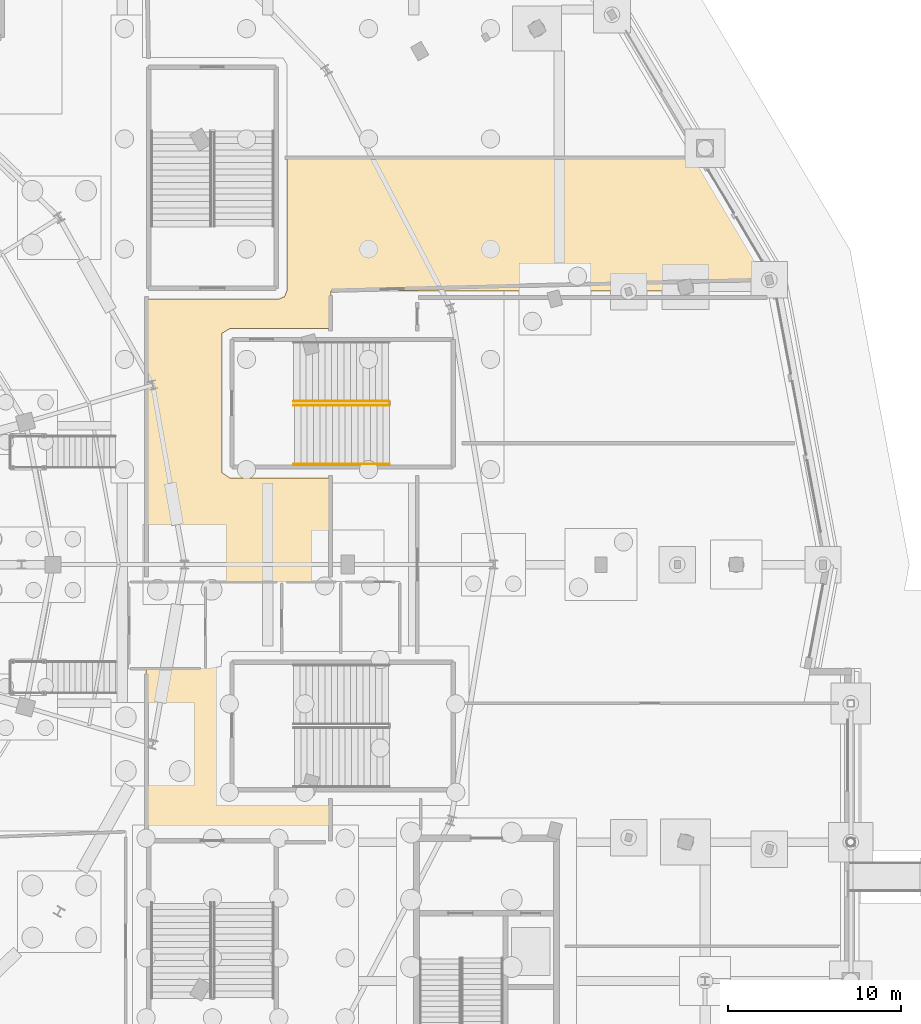
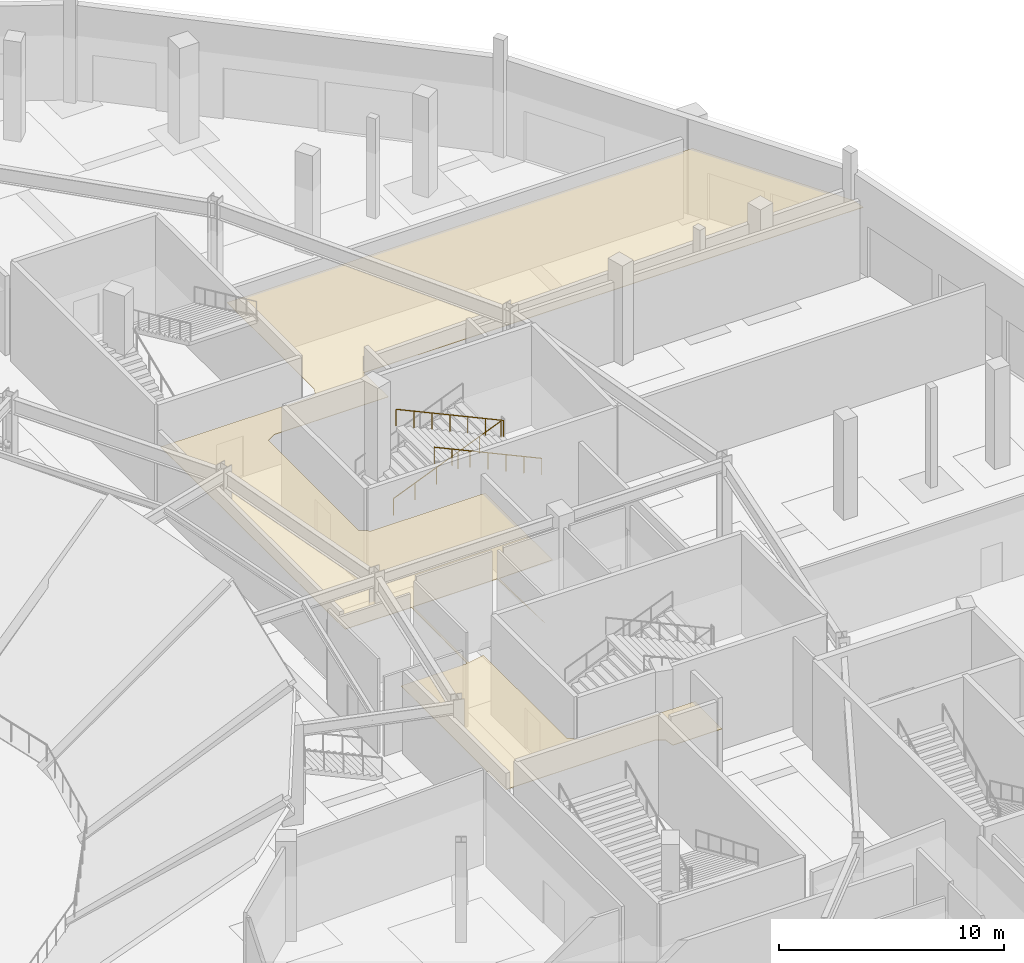
# One storey, part 90 of 93: 3 railings, 1 covering.
"""IFC4 building model written with IfcOpenShell, lengths in metres."""

from ifc_helpers import new_model, si_unit, direction, frame, origin, origin_2d, place, context, subcontext, project, spatial, polyline, circle, outline, extrude, material, layer, layer_set, type_object, element, save


model = new_model("IFC4")

# Units and contexts
model_context = context("Model", 3, precision=1e-05, world=origin(), true_north=direction((0.0, 1.0)))
body_context = subcontext(model_context, "Body", "Model", "MODEL_VIEW")
ifc_project = project(units=[si_unit("LENGTHUNIT", "METRE"), si_unit("AREAUNIT", "SQUARE_METRE"), si_unit("VOLUMEUNIT", "CUBIC_METRE"), si_unit("PLANEANGLEUNIT", "RADIAN"), si_unit("MASSUNIT", "GRAM", prefix="KILO")], contexts=[model_context])

# Site, building, storey
site_placement = place(None, origin())
site = spatial("IfcSite", under=ifc_project, at=site_placement, CompositionType="ELEMENT")
building_placement = place(site_placement, origin())
building = spatial("IfcBuilding", under=site, at=building_placement, Name="Kalgoora Escarpment Arena", CompositionType="ELEMENT")
storey_placement = place(building_placement, origin())
storey = spatial("IfcBuildingStorey", under=building, at=storey_placement, Name="L00", CompositionType="ELEMENT", Elevation=0.0)

# Covering
ifc_material_1 = material(Name="Perforated acoustic mineral-fibre ceiling tile")
ifc_layer = layer(ifc_material_1, 0.02490234375)
ifc_layer_set = layer_set([ifc_layer], Name="COV-CEIL-ACOUSTIC")
covering_type = type_object("IfcCoveringType", Name="COV-CEIL-ACOUSTIC", PredefinedType="CEILING", material=ifc_layer_set)
covering_placement = place(storey_placement, frame((0.0, 0.0, 3.47998046875)))
element("IfcCovering", 1, at=covering_placement, inside=storey, type_object=covering_type, Name="L00 North-East Protected Exit Passageway acoustic suspended ceiling", PredefinedType="CEILING", context=body_context, shape_type="SweptSolid", body=[
    extrude(outline(polyline([(144.19970703125, 63.0), (144.159912109375, 79.302001953125), (151.800048828125, 79.300048828125), (152.153564453125, 79.4462890625), (152.300048828125, 79.800048828125), (152.300048828125, 87.489990234375), (176.128662109375, 87.489990234375), (180.302490234375, 80.441162109375), (180.42138671875, 79.7646484375), (154.840087890625, 79.760009765625), (154.840087890625, 77.60009765625), (149.0, 77.60009765625), (148.55908203125, 77.335693359375), (148.5380859375, 69.30859375), (149.0, 69.0), (154.840087890625, 69.0), (154.840087890625, 63.0400390625), (152.0849609375, 62.979248046875), (152.11474609375, 59.0), (151.98876953125, 62.98828125), (147.69775390625, 62.993408203125), (147.680908203125, 58.040283203125), (148.5, 58.19189453125), (148.509521484375, 50.802490234375), (148.950927734375, 50.40234375), (154.840087890625, 50.39990234375), (154.822265625, 47.966796875), (152.300048828125, 47.9599609375), (152.2158203125, 48.477783203125), (151.84912109375, 48.697509765625), (144.159912109375, 48.697998046875), (144.160888671875, 57.9677734375), (147.560302734375, 58.0), (147.593017578125, 62.982421875), (144.19970703125, 63.0)])), origin(), (0.0, 0.0, 1.0), 0.02490234375),
])

# Railings
ifc_material_2 = material(Name="Brushed stainless steel 316 handrail", Category="steel")
railing_type = type_object("IfcRailingType", Name="RAL-HAND-920", PredefinedType="HANDRAIL", material=ifc_material_2)
railing_placement = place(storey_placement, frame((152.68994140625, 73.4150390625, 0.388916015625)))
element("IfcRailing", 2, at=railing_placement, inside=storey, type_object=railing_type, Name="ST21 L00 pitched stair handrail F1R", PredefinedType="HANDRAIL", context=body_context, shape_type="SweptSolid", body=[
    extrude(circle(Radius=0.02392578125, at=origin_2d()), frame((0.0, 0.0, 0.89599609375), z_axis=(0.924430832969, 0.0, 0.381349754236), x_axis=(0.0, 1.0, 0.0)), (0.0, 0.0, 1.0), 5.955078125),
    extrude(circle(Radius=0.02099609375, at=origin_2d()), origin(), (0.0, 0.0, 1.0), 0.871826171875),
    extrude(circle(Radius=0.02099609375, at=origin_2d()), frame((1.10107421875, 0.0, 0.4541015625)), (0.0, 0.0, 1.0), 0.871826171875),
    extrude(circle(Radius=0.02099609375, at=origin_2d()), frame((2.2021484375, 0.0, 0.908447265625)), (0.0, 0.0, 1.0), 0.871826171875),
    extrude(circle(Radius=0.02099609375, at=origin_2d()), frame((3.302978515625, 0.0, 1.362548828125)), (0.0, 0.0, 1.0), 0.871826171875),
    extrude(circle(Radius=0.02099609375, at=origin_2d()), frame((4.404052734375, 0.0, 1.81689453125)), (0.0, 0.0, 1.0), 0.871826171875),
    extrude(circle(Radius=0.02099609375, at=origin_2d()), frame((5.505126953125, 0.0, 2.27099609375)), (0.0, 0.0, 1.0), 0.871826171875),
])
for number, where, name in (
    (3, (158.195068359375, 73.18505859375, 2.828857421875), "ST21 L00 pitched stair handrail F2L"),
    (4, (158.195068359375, 69.800048828125, 2.828857421875), "ST21 L00 pitched stair handrail F2R"),
):
    element("IfcRailing", number, at=place(storey_placement, frame(where)), inside=storey, type_object=railing_type, Name=name, PredefinedType="HANDRAIL", context=body_context, shape_type="SweptSolid", body=[
        extrude(circle(Radius=0.02392578125, at=origin_2d()), frame((0.0, 0.0, 0.89599609375), z_axis=(-0.908559891483, 0.0, 0.417754621265), x_axis=(0.0, -1.0, 0.0)), (0.0, 0.0, 1.0), 6.05908203125),
        extrude(circle(Radius=0.02099609375, at=origin_2d()), origin(), (0.0, 0.0, 1.0), 0.871826171875),
        extrude(circle(Radius=0.02099609375, at=origin_2d()), frame((-0.91748046875, 0.0, 0.421875)), (0.0, 0.0, 1.0), 0.871826171875),
        extrude(circle(Radius=0.02099609375, at=origin_2d()), frame((-1.8349609375, 0.0, 0.84375)), (0.0, 0.0, 1.0), 0.871826171875),
        extrude(circle(Radius=0.02099609375, at=origin_2d()), frame((-2.75244140625, 0.0, 1.265625)), (0.0, 0.0, 1.0), 0.871826171875),
        extrude(circle(Radius=0.02099609375, at=origin_2d()), frame((-3.670166015625, 0.0, 1.6875)), (0.0, 0.0, 1.0), 0.871826171875),
        extrude(circle(Radius=0.02099609375, at=origin_2d()), frame((-4.587646484375, 0.0, 2.109375)), (0.0, 0.0, 1.0), 0.871826171875),
        extrude(circle(Radius=0.02099609375, at=origin_2d()), frame((-5.505126953125, 0.0, 2.53125)), (0.0, 0.0, 1.0), 0.871826171875),
    ])

save(model, "model.ifc")
